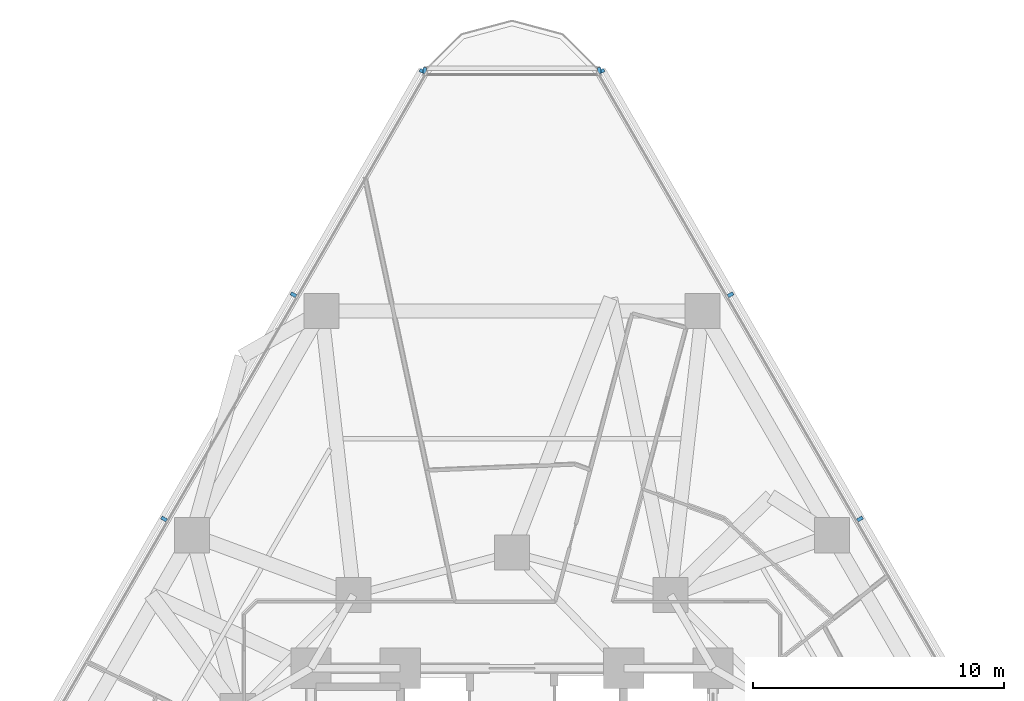
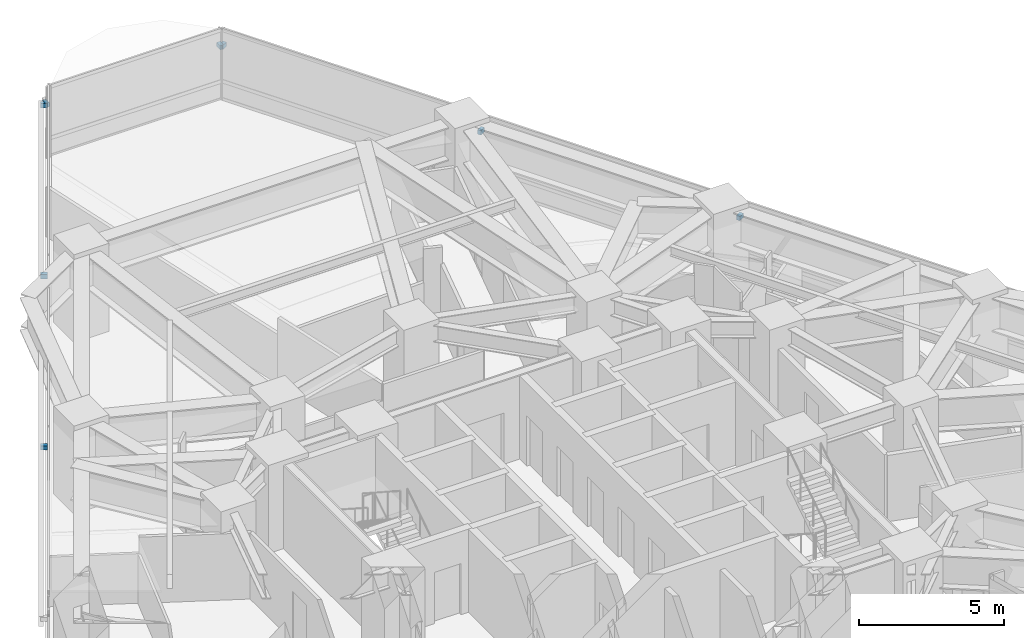
# One storey, part 12 of 15: 8 discrete accessories.
"""IFC4 building model written with IfcOpenShell, lengths in metres."""

from ifc_helpers import new_model, si_unit, direction, frame, origin, origin_2d, place, context, subcontext, project, spatial, rectangle, extrude, material, type_object, element, save


model = new_model("IFC4")

# Units and contexts
model_context = context("Model", 3, precision=1e-05, world=origin(), true_north=direction((0.0, 1.0)))
body_context = subcontext(model_context, "Body", "Model", "MODEL_VIEW")
ifc_project = project(units=[si_unit("LENGTHUNIT", "METRE"), si_unit("AREAUNIT", "SQUARE_METRE"), si_unit("VOLUMEUNIT", "CUBIC_METRE"), si_unit("PLANEANGLEUNIT", "RADIAN"), si_unit("MASSUNIT", "GRAM", prefix="KILO")], contexts=[model_context])

# Site, building, storey
site_placement = place(None, origin())
site = spatial("IfcSite", under=ifc_project, at=site_placement, CompositionType="ELEMENT")
building_placement = place(site_placement, origin())
building = spatial("IfcBuilding", under=site, at=building_placement, Name="Terralouvre Media Tower", CompositionType="ELEMENT")
storey_placement = place(building_placement, frame((0.0, 0.0, 51.89990234375)))
storey = spatial("IfcBuildingStorey", under=building, at=storey_placement, Name="L12", CompositionType="ELEMENT", Elevation=51.89990234375)

# Discrete accessories
ifc_material = material(Name="Anodised extruded aluminium 6063-T6", Category="aluminium")
discrete_accessory_type = type_object("IfcDiscreteAccessoryType", Name="Mullion Stand-Off Baguette Fixing Bracket BK-01", PredefinedType="BRACKET", material=ifc_material)
for number, where, z_axis, x_axis, name in (
    (1, (13.842041015625, 13.9384765625, 2.07421875), (0.0, 0.0, 1.0), (-0.499999985671, 0.866025412057, 0.0), "CW-L12-F1 Baguette Outrigger Bracket 1.04"),
    (2, (8.692138671875, 22.8583984375, 2.07421875), (0.0, 0.0, 1.0), (-0.499999985671, 0.866025412057, 0.0), "CW-L12-F1 Baguette Outrigger Bracket 1.05"),
    (3, (3.560791015625, 31.74609375, 2.07421875), (0.0, 0.0, 1.0), (-0.499999985671, 0.866025412057, 0.0), "CW-L12-F1 Baguette Outrigger Bracket 1.06"),
    (4, (-3.560791015625, 31.74609375, 2.07421875), (0.0, 0.0, 1.0), (-0.499999985671, -0.866025412057, 0.0), "CW-L12-F2 Baguette Outrigger Bracket 1.01"),
    (5, (-8.692138671875, 22.8583984375, 2.07421875), (0.0, 0.0, 1.0), (-0.499999985671, -0.866025412057, 0.0), "CW-L12-F2 Baguette Outrigger Bracket 1.02"),
    (6, (-13.842041015625, 13.9384765625, 2.07421875), (0.0, 0.0, 1.0), (-0.499999985671, -0.866025412057, 0.0), "CW-L12-F2 Baguette Outrigger Bracket 1.03"),
    (7, (3.469970703125, 31.778564453125, 2.07421875), (0.0, 0.0, 1.0), (-1.0, 0.0, 0.0), "CW-L12-C2 Baguette Outrigger Bracket 1.01"),
    (8, (-3.469970703125, 31.778564453125, 2.07421875), (0.0, 0.0, 1.0), (-1.0, 0.0, 0.0), "CW-L12-C2 Baguette Outrigger Bracket 1.02"),
):
    element("IfcDiscreteAccessory", number, at=place(storey_placement, frame(where, z_axis=z_axis, x_axis=x_axis)), inside=storey, type_object=discrete_accessory_type, Name=name, PredefinedType="BRACKET", context=body_context, shape_type="SweptSolid", body=[
        extrude(rectangle(XDim=0.139892578125, YDim=0.239990234375, at=origin_2d()), origin(), (0.0, 0.0, 1.0), 0.179931640625),
    ])

save(model, "model.ifc")
